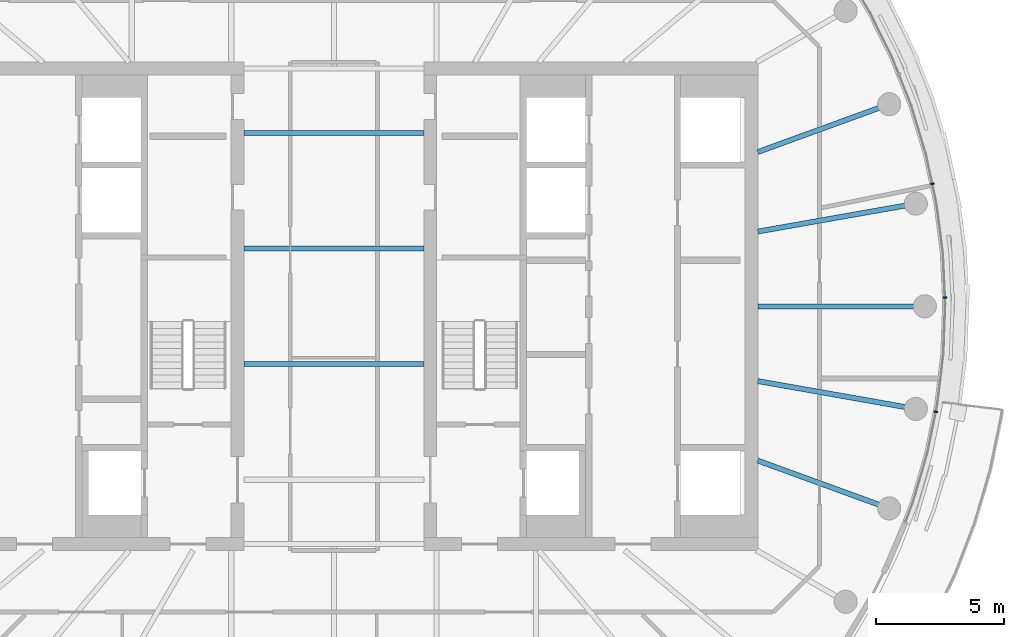
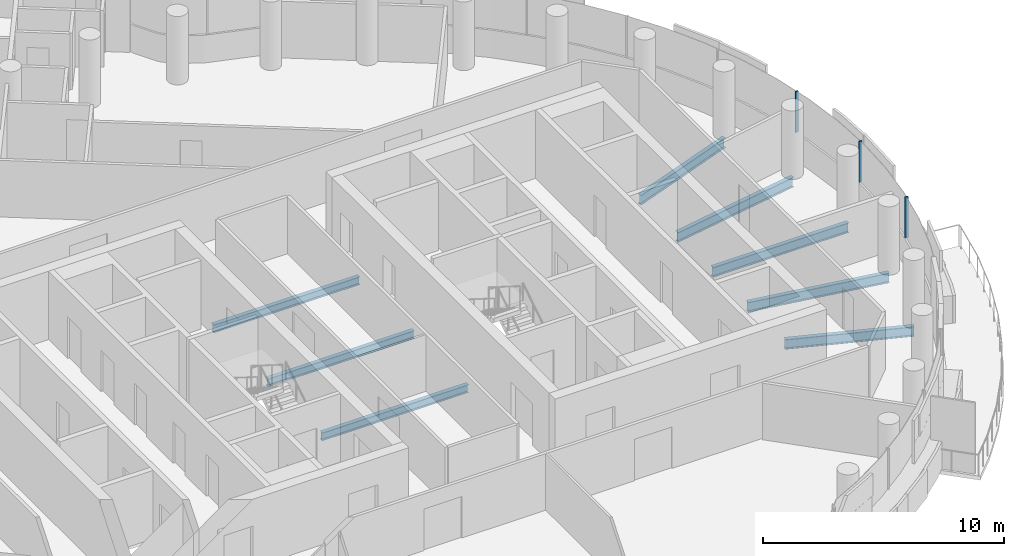
# One storey, part 8 of 27: 8 beams, 3 members, 1 element without a shape of its own.
"""IFC4 building model written with IfcOpenShell, lengths in metres."""

from ifc_helpers import new_model, si_unit, direction, frame, origin, origin_2d, place, context, subcontext, project, spatial, rectangle, i_section, extrude, material, layer, layer_set, material_profile, profile_set, type_object, element, aggregate, save


model = new_model("IFC4")

# Units and contexts
model_context = context("Model", 3, precision=1e-05, world=origin(), true_north=direction((0.0, 1.0)))
body_context = subcontext(model_context, "Body", "Model", "MODEL_VIEW")
ifc_project = project(units=[si_unit("LENGTHUNIT", "METRE"), si_unit("AREAUNIT", "SQUARE_METRE"), si_unit("VOLUMEUNIT", "CUBIC_METRE"), si_unit("PLANEANGLEUNIT", "RADIAN"), si_unit("MASSUNIT", "GRAM", prefix="KILO")], contexts=[model_context])

# Site, building, storey
site_placement = place(None, origin())
site = spatial("IfcSite", under=ifc_project, at=site_placement, CompositionType="ELEMENT")
building_placement = place(site_placement, origin())
building = spatial("IfcBuilding", under=site, at=building_placement, Name="Tamarind Cross Interchange Tower", CompositionType="ELEMENT")
storey_placement = place(building_placement, frame((0.0, 0.0, 237.89990234375)))
storey = spatial("IfcBuildingStorey", under=building, at=storey_placement, Name="L60", CompositionType="ELEMENT", Elevation=237.89990234375)

# Beams
ifc_material_1 = material(Name="Steel Q355B", Category="steel")
ifc_material_profile_1 = material_profile(ifc_material_1, i_section(OverallWidth=0.199951171875, OverallDepth=0.39990234375, WebThickness=0.008056640625, FlangeThickness=0.012939453125, FilletRadius=0.01611328125, at=origin_2d()), Name="HN 400x200x8x13")
ifc_profile_set_1 = profile_set([ifc_material_profile_1], Name="Steel Q355B")
beam_type_1 = type_object("IfcBeamType", Name="Composite beam HN 400x200x8x13 Q355B", PredefinedType="BEAM", material=ifc_profile_set_1)
for number, where, z_axis, x_axis, name in (
    (1, (-3.5, -2.25, -0.33984375), (1.0, 0.0, 0.0), (0.0, 1.0, 0.0), "Beam G-2.25"),
    (2, (-3.5, 2.25, -0.33984375), (1.0, 0.0, 0.0), (0.0, 1.0, 0.0), "Beam G2.25"),
    (3, (-3.5, 6.75, -0.33984375), (1.0, 0.0, 0.0), (0.0, 1.0, 0.0), "Beam G6.75"),
):
    element("IfcBeam", number, at=place(storey_placement, frame(where, z_axis=z_axis, x_axis=x_axis)), inside=storey, type_object=beam_type_1, Name=name, PredefinedType="BEAM", context=body_context, shape_type="SweptSolid", body=[
        extrude(i_section(OverallWidth=0.199951171875, OverallDepth=0.39990234375, WebThickness=0.008056640625, FlangeThickness=0.012939453125, FilletRadius=0.01611328125, at=origin_2d()), origin(), (0.0, 0.0, 1.0), 7.0),
    ])
ifc_material_profile_2 = material_profile(ifc_material_1, i_section(OverallWidth=0.198974609375, OverallDepth=0.49609375, WebThickness=0.009033203125, FlangeThickness=0.013916015625, FilletRadius=0.012939453125, at=origin_2d()), Name="HN 496x199x9x14")
ifc_profile_set_2 = profile_set([ifc_material_profile_2], Name="Steel Q355B")
beam_type_2 = type_object("IfcBeamType", Name="Composite beam HN 496x199x9x14 Q355B", PredefinedType="BEAM", material=ifc_profile_set_2)
beam_1_placement = place(storey_placement, frame((23.0, 0.0, -0.387939453125), z_axis=(-1.0, 0.0, 0.0), x_axis=(0.0, -1.0, 0.0)))
element("IfcBeam", 4, at=beam_1_placement, inside=storey, type_object=beam_type_2, Name="Beam HH00", PredefinedType="BEAM", context=body_context, shape_type="SweptSolid", body=[
    extrude(i_section(OverallWidth=0.198974609375, OverallDepth=0.49609375, WebThickness=0.009033203125, FlangeThickness=0.013916015625, FilletRadius=0.012939453125, at=origin_2d()), origin(), (0.0, 0.0, 1.0), 6.5),
])
beam_2_placement = place(storey_placement, frame((22.650634765625, 3.993896484375, -0.387939453125), z_axis=(-0.984809127561, -0.173640382036, 0.0), x_axis=(0.173640382036, -0.984809127561, 0.0)))
element("IfcBeam", 5, at=beam_2_placement, inside=storey, type_object=beam_type_2, Name="Beam HH01", PredefinedType="BEAM", context=body_context, shape_type="SweptSolid", body=[
    extrude(i_section(OverallWidth=0.198974609375, OverallDepth=0.49609375, WebThickness=0.009033203125, FlangeThickness=0.013916015625, FilletRadius=0.012939453125, at=origin_2d()), origin(), (0.0, 0.0, 1.0), 6.24560546875),
])
for number, where, z_axis, x_axis, name in (
    (6, (21.613037109375, 7.866455078125, -0.387939453125), (-0.939701685589, -0.341995236956, 0.0), (0.341995236956, -0.939701685589, 0.0), "Beam HH02"),
    (7, (21.613037109375, -7.866455078125, -0.387939453125), (-0.939701685589, 0.341995236956, 0.0), (-0.341995236956, -0.939701685589, 0.0), "Beam HH34"),
):
    element("IfcBeam", number, at=place(storey_placement, frame(where, z_axis=z_axis, x_axis=x_axis)), inside=storey, type_object=beam_type_2, Name=name, PredefinedType="BEAM", context=body_context, shape_type="SweptSolid", body=[
        extrude(i_section(OverallWidth=0.198974609375, OverallDepth=0.49609375, WebThickness=0.009033203125, FlangeThickness=0.013916015625, FilletRadius=0.012939453125, at=origin_2d()), origin(), (0.0, 0.0, 1.0), 5.441162109375),
    ])
beam_3_placement = place(storey_placement, frame((22.650634765625, -3.993896484375, -0.387939453125), z_axis=(-0.984809127561, 0.173640382036, 0.0), x_axis=(-0.173640382036, -0.984809127561, 0.0)))
element("IfcBeam", 8, at=beam_3_placement, inside=storey, type_object=beam_type_2, Name="Beam HH35", PredefinedType="BEAM", context=body_context, shape_type="SweptSolid", body=[
    extrude(i_section(OverallWidth=0.198974609375, OverallDepth=0.49609375, WebThickness=0.009033203125, FlangeThickness=0.013916015625, FilletRadius=0.012939453125, at=origin_2d()), origin(), (0.0, 0.0, 1.0), 6.24560546875),
])

# Curtain wall, members
ifc_material_2 = material(Name="Aluminium 6063-T6", Category="aluminium")
ifc_layer = layer(ifc_material_2, 0.139892578125)
ifc_layer_set = layer_set([ifc_layer], Name="Aluminium 6063-T6")
curtain_wall_type = type_object("IfcCurtainWallType", Name="Hotel curtain wall, 4.5 m bays", PredefinedType="NOTDEFINED", material=ifc_layer_set)
curtain_wall_placement = place(storey_placement, origin())
curtain_wall = element("IfcCurtainWall", 9, at=curtain_wall_placement, inside=storey, type_object=curtain_wall_type, Name="CWS-L60-02", PredefinedType="NOTDEFINED")
ifc_material_profile_3 = material_profile(ifc_material_2, rectangle(XDim=0.06005859375, YDim=0.139892578125, at=origin_2d()), Name="Mullion CW2")
ifc_profile_set_3 = profile_set([ifc_material_profile_3], Name="Aluminium 6063-T6")
member_type = type_object("IfcMemberType", Name="Mullion CW2", PredefinedType="MULLION", material=ifc_profile_set_3)
member_1_placement = place(storey_placement, frame((23.427978515625, -4.107177734375, 1.400146484375), z_axis=(0.0, 0.0, 1.0), x_axis=(0.201001463943, 0.9795909409, 0.0)))
member_1 = element("IfcMember", 10, at=member_1_placement, type_object=member_type, Name="CWM-L60-02-13", PredefinedType="MULLION", context=body_context, shape_type="SweptSolid", body=[
    extrude(rectangle(XDim=0.06005859375, YDim=0.139892578125, at=origin_2d()), origin(), (0.0, 0.0, 1.0), 2.06005859375),
])
member_2_placement = place(storey_placement, frame((23.784912109375, 0.337890625, 1.400146484375), z_axis=(0.0, 0.0, 1.0), x_axis=(-0.045624486728, 0.998958660912, 0.0)))
member_2 = element("IfcMember", 11, at=member_2_placement, type_object=member_type, Name="CWM-L60-02-14", PredefinedType="MULLION", context=body_context, shape_type="SweptSolid", body=[
    extrude(rectangle(XDim=0.06005859375, YDim=0.139892578125, at=origin_2d()), origin(), (0.0, 0.0, 1.0), 2.06005859375),
])
member_3_placement = place(storey_placement, frame((23.29296875, 4.77001953125, 1.400146484375), z_axis=(0.0, 0.0, 1.0), x_axis=(-0.209425419705, 0.977824623121, 0.0)))
member_3 = element("IfcMember", 12, at=member_3_placement, type_object=member_type, Name="CWM-L60-02-15", PredefinedType="MULLION", context=body_context, shape_type="SweptSolid", body=[
    extrude(rectangle(XDim=0.06005859375, YDim=0.139892578125, at=origin_2d()), origin(), (0.0, 0.0, 1.0), 2.06005859375),
])
aggregate(curtain_wall, [member_1, member_2, member_3])

save(model, "model.ifc")
